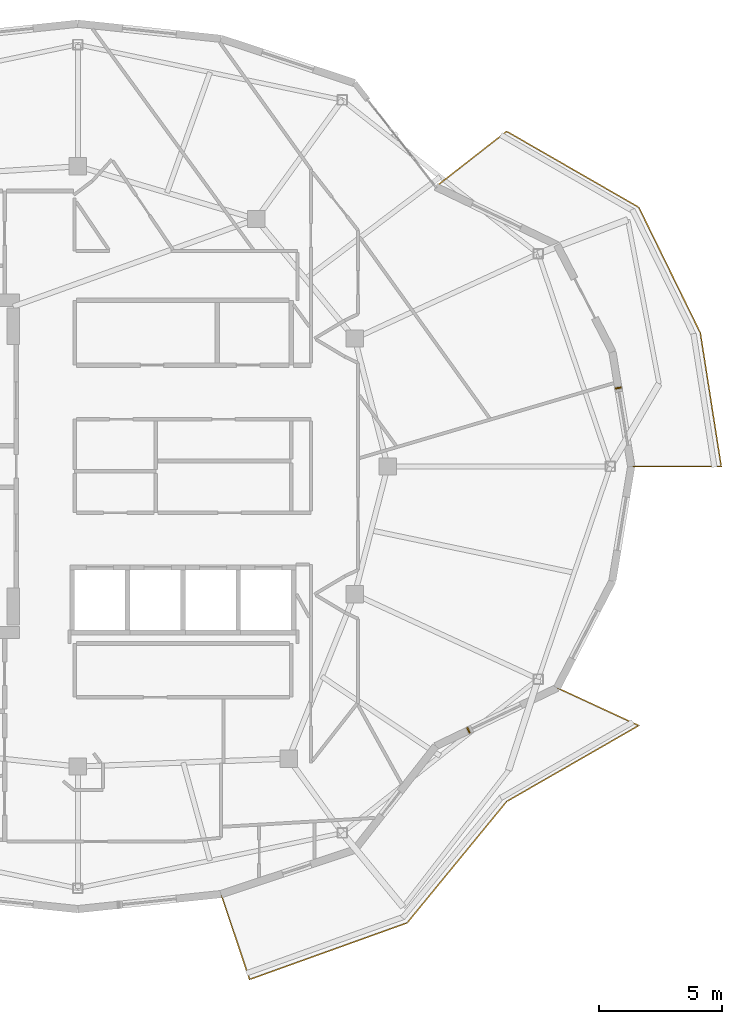
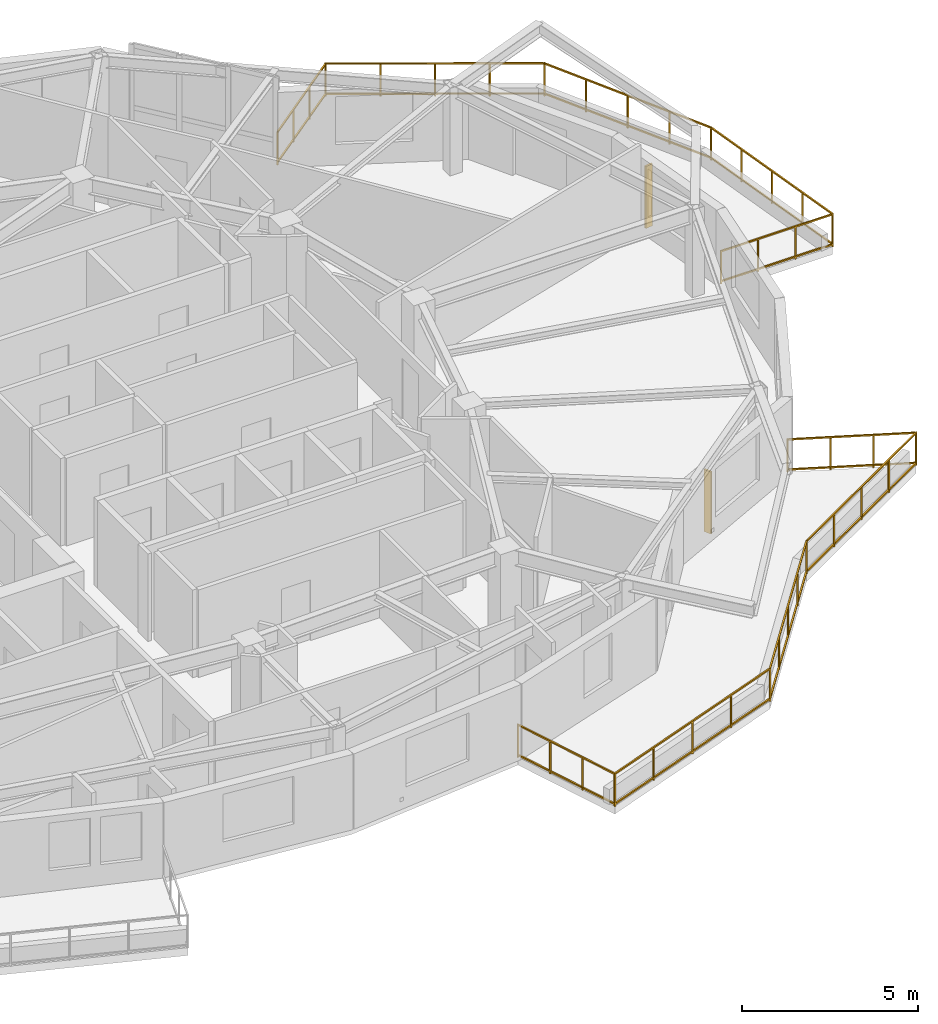
# One storey, part 13 of 14: 2 railings, 2 shading devices.
"""IFC4 building model written with IfcOpenShell, lengths in metres."""

from ifc_helpers import new_model, si_unit, direction, frame, origin, origin_2d, place, context, subcontext, project, spatial, rectangle, extrude, material, type_object, element, save


model = new_model("IFC4")

# Units and contexts
model_context = context("Model", 3, precision=1e-05, world=origin(), true_north=direction((0.0, 1.0)))
body_context = subcontext(model_context, "Body", "Model", "MODEL_VIEW")
ifc_project = project(units=[si_unit("LENGTHUNIT", "METRE"), si_unit("AREAUNIT", "SQUARE_METRE"), si_unit("VOLUMEUNIT", "CUBIC_METRE"), si_unit("PLANEANGLEUNIT", "RADIAN"), si_unit("MASSUNIT", "GRAM", prefix="KILO")], contexts=[model_context])

# Site, building, storey
site_placement = place(None, origin())
site = spatial("IfcSite", under=ifc_project, at=site_placement, CompositionType="ELEMENT")
building_placement = place(site_placement, origin())
building = spatial("IfcBuilding", under=site, at=building_placement, Name="Kolvaren Gate Tower and Convention Centre", CompositionType="ELEMENT")
storey_placement = place(building_placement, frame((0.0, 0.0, 245.89990234375)))
storey = spatial("IfcBuildingStorey", under=building, at=storey_placement, Name="L66", CompositionType="ELEMENT", Elevation=245.89990234375)

# Railings
ifc_material_1 = material(Name="Brushed Stainless Steel Grade 316L", Category="steel")
railing_type = type_object("IfcRailingType", Name="ARCH-RL-GUARD-1150", PredefinedType="GUARDRAIL", material=ifc_material_1)
railing_1_placement = place(storey_placement, frame((52.625, 27.0, 0.0)))
element("IfcRailing", 1, at=railing_1_placement, inside=storey, type_object=railing_type, Name="Tower L66 Terrace Perimeter Guardrail GR-1", PredefinedType="GUARDRAIL", context=body_context, shape_type="SweptSolid", body=[
    extrude(rectangle(XDim=0.048095703125, YDim=0.048095703125, at=origin_2d()), frame((0.028076171875, 0.0, 1.1259765625), z_axis=(1.0, 0.0, 0.0), x_axis=(0.0, 1.0, 0.0)), (0.0, 0.0, 1.0), 3.603759765625),
    extrude(rectangle(XDim=0.048095703125, YDim=0.048095703125, at=origin_2d()), frame((0.028076171875, 0.0, 0.083984375), z_axis=(1.0, 0.0, 0.0), x_axis=(0.0, 1.0, 0.0)), (0.0, 0.0, 1.0), 3.603759765625),
    extrude(rectangle(XDim=0.048095703125, YDim=0.048095703125, at=origin_2d()), frame((3.655517578125, 0.02783203125, 1.1259765625), z_axis=(-0.1543985789, 0.988008643097, 0.0), x_axis=(-0.988008643097, -0.1543985789, 0.0)), (0.0, 0.0, 1.0), 5.435546875),
    extrude(rectangle(XDim=0.048095703125, YDim=0.048095703125, at=origin_2d()), frame((3.655517578125, 0.02783203125, 0.083984375), z_axis=(-0.1543985789, 0.988008643097, 0.0), x_axis=(-0.988008643097, -0.1543985789, 0.0)), (0.0, 0.0, 1.0), 5.435546875),
    extrude(rectangle(XDim=0.048095703125, YDim=0.048095703125, at=origin_2d()), frame((2.799560546875, 5.450927734375, 1.1259765625), z_axis=(-0.440058847499, 0.897968936399, 0.0), x_axis=(-0.897968936399, -0.440058847499, 0.0)), (0.0, 0.0, 1.0), 5.63330078125),
    extrude(rectangle(XDim=0.048095703125, YDim=0.048095703125, at=origin_2d()), frame((2.799560546875, 5.450927734375, 0.083984375), z_axis=(-0.440058847499, 0.897968936399, 0.0), x_axis=(-0.897968936399, -0.440058847499, 0.0)), (0.0, 0.0, 1.0), 5.63330078125),
    extrude(rectangle(XDim=0.048095703125, YDim=0.048095703125, at=origin_2d()), frame((0.283935546875, 10.548583984375, 1.1259765625), z_axis=(-0.866894385595, 0.498491849706, 0.0), x_axis=(-0.498491849706, -0.866894385595, 0.0)), (0.0, 0.0, 1.0), 6.140869140625),
    extrude(rectangle(XDim=0.048095703125, YDim=0.048095703125, at=origin_2d()), frame((0.283935546875, 10.548583984375, 0.083984375), z_axis=(-0.866894385595, 0.498491849706, 0.0), x_axis=(-0.498491849706, -0.866894385595, 0.0)), (0.0, 0.0, 1.0), 6.140869140625),
    extrude(rectangle(XDim=0.048095703125, YDim=0.048095703125, at=origin_2d()), frame((-5.0859375, 13.6064453125, 1.1259765625), z_axis=(-0.787988976981, -0.61568934712, 0.0), x_axis=(0.61568934712, -0.787988976981, 0.0)), (0.0, 0.0, 1.0), 3.60400390625),
    extrude(rectangle(XDim=0.048095703125, YDim=0.048095703125, at=origin_2d()), frame((-5.0859375, 13.6064453125, 0.083984375), z_axis=(-0.787988976981, -0.61568934712, 0.0), x_axis=(0.61568934712, -0.787988976981, 0.0)), (0.0, 0.0, 1.0), 3.60400390625),
    extrude(rectangle(XDim=0.0419921875, YDim=0.0419921875, at=origin_2d()), origin(), (0.0, 0.0, 1.0), 1.14990234375),
    extrude(rectangle(XDim=0.0419921875, YDim=0.0419921875, at=origin_2d()), frame((3.659912109375, 0.0, 0.0)), (0.0, 0.0, 1.0), 1.14990234375),
    extrude(rectangle(XDim=0.0419921875, YDim=0.0419921875, at=origin_2d()), frame((1.219970703125, 0.0, 0.0)), (0.0, 0.0, 1.0), 1.099853515625),
    extrude(rectangle(XDim=0.0419921875, YDim=0.0419921875, at=origin_2d()), frame((2.43994140625, 0.0, 0.0)), (0.0, 0.0, 1.0), 1.099853515625),
    extrude(rectangle(XDim=0.0419921875, YDim=0.0419921875, at=origin_2d()), frame((2.81201171875, 5.42578125, 0.0)), (0.0, 0.0, 1.0), 1.14990234375),
    extrude(rectangle(XDim=0.0419921875, YDim=0.0419921875, at=origin_2d()), frame((3.447998046875, 1.3564453125, 0.0)), (0.0, 0.0, 1.0), 1.099853515625),
    extrude(rectangle(XDim=0.0419921875, YDim=0.0419921875, at=origin_2d()), frame((3.23583984375, 2.712890625, 0.0)), (0.0, 0.0, 1.0), 1.099853515625),
    extrude(rectangle(XDim=0.0419921875, YDim=0.0419921875, at=origin_2d()), frame((3.02392578125, 4.0693359375, 0.0)), (0.0, 0.0, 1.0), 1.099853515625),
    extrude(rectangle(XDim=0.0419921875, YDim=0.0419921875, at=origin_2d()), frame((0.308349609375, 10.53466796875, 0.0)), (0.0, 0.0, 1.0), 1.14990234375),
    extrude(rectangle(XDim=0.0419921875, YDim=0.0419921875, at=origin_2d()), frame((2.18603515625, 6.703125, 0.0)), (0.0, 0.0, 1.0), 1.099853515625),
    extrude(rectangle(XDim=0.0419921875, YDim=0.0419921875, at=origin_2d()), frame((1.56005859375, 7.980224609375, 0.0)), (0.0, 0.0, 1.0), 1.099853515625),
    extrude(rectangle(XDim=0.0419921875, YDim=0.0419921875, at=origin_2d()), frame((0.934326171875, 9.25732421875, 0.0)), (0.0, 0.0, 1.0), 1.099853515625),
    extrude(rectangle(XDim=0.0419921875, YDim=0.0419921875, at=origin_2d()), frame((-5.063720703125, 13.623779296875, 0.0)), (0.0, 0.0, 1.0), 1.14990234375),
    extrude(rectangle(XDim=0.0419921875, YDim=0.0419921875, at=origin_2d()), frame((-1.03466796875, 11.306884765625, 0.0)), (0.0, 0.0, 1.0), 1.099853515625),
    extrude(rectangle(XDim=0.0419921875, YDim=0.0419921875, at=origin_2d()), frame((-2.377685546875, 12.0791015625, 0.0)), (0.0, 0.0, 1.0), 1.099853515625),
    extrude(rectangle(XDim=0.0419921875, YDim=0.0419921875, at=origin_2d()), frame((-3.720703125, 12.8515625, 0.0)), (0.0, 0.0, 1.0), 1.099853515625),
    extrude(rectangle(XDim=0.0419921875, YDim=0.0419921875, at=origin_2d()), frame((-7.94775390625, 11.370361328125, 0.0)), (0.0, 0.0, 1.0), 1.14990234375),
    extrude(rectangle(XDim=0.0419921875, YDim=0.0419921875, at=origin_2d()), frame((-6.025146484375, 12.87255859375, 0.0)), (0.0, 0.0, 1.0), 1.099853515625),
    extrude(rectangle(XDim=0.0419921875, YDim=0.0419921875, at=origin_2d()), frame((-6.986328125, 12.12158203125, 0.0)), (0.0, 0.0, 1.0), 1.099853515625),
])
railing_2_placement = place(storey_placement, frame((35.948486328125, 9.61328125, 0.0)))
element("IfcRailing", 2, at=railing_2_placement, inside=storey, type_object=railing_type, Name="Tower L66 Terrace Perimeter Guardrail GR-4", PredefinedType="GUARDRAIL", context=body_context, shape_type="SweptSolid", body=[
    extrude(rectangle(XDim=0.048095703125, YDim=0.048095703125, at=origin_2d()), frame((0.0087890625, -0.026611328125, 1.1259765625), z_axis=(0.317588247294, -0.948228719867, 0.0), x_axis=(0.948228719867, 0.317588247294, 0.0)), (0.0, 0.0, 1.0), 3.603759765625),
    extrude(rectangle(XDim=0.048095703125, YDim=0.048095703125, at=origin_2d()), frame((0.0087890625, -0.026611328125, 0.083984375), z_axis=(0.317588247294, -0.948228719867, 0.0), x_axis=(0.948228719867, 0.317588247294, 0.0)), (0.0, 0.0, 1.0), 3.603759765625),
    extrude(rectangle(XDim=0.048095703125, YDim=0.048095703125, at=origin_2d()), frame((1.188720703125, -3.4609375, 1.1259765625), z_axis=(0.941139090914, 0.338019543152, 0.0), x_axis=(-0.338019543152, 0.941139090914, 0.0)), (0.0, 0.0, 1.0), 6.75048828125),
    extrude(rectangle(XDim=0.048095703125, YDim=0.048095703125, at=origin_2d()), frame((1.188720703125, -3.4609375, 0.083984375), z_axis=(0.941139090914, 0.338019543152, 0.0), x_axis=(-0.338019543152, 0.941139090914, 0.0)), (0.0, 0.0, 1.0), 6.75048828125),
    extrude(rectangle(XDim=0.048095703125, YDim=0.048095703125, at=origin_2d()), frame((7.586181640625, -1.14794921875, 1.1259765625), z_axis=(0.634050293942, 0.773291810866, 0.0), x_axis=(-0.773291810866, 0.634050293942, 0.0)), (0.0, 0.0, 1.0), 6.322509765625),
    extrude(rectangle(XDim=0.048095703125, YDim=0.048095703125, at=origin_2d()), frame((7.586181640625, -1.14794921875, 0.083984375), z_axis=(0.634050293942, 0.773291810866, 0.0), x_axis=(-0.773291810866, 0.634050293942, 0.0)), (0.0, 0.0, 1.0), 6.322509765625),
    extrude(rectangle(XDim=0.048095703125, YDim=0.048095703125, at=origin_2d()), frame((11.63720703125, 3.77685546875, 1.1259765625), z_axis=(0.866894385595, 0.498491849706, 0.0), x_axis=(-0.498491849706, 0.866894385595, 0.0)), (0.0, 0.0, 1.0), 6.140869140625),
    extrude(rectangle(XDim=0.048095703125, YDim=0.048095703125, at=origin_2d()), frame((11.63720703125, 3.77685546875, 0.083984375), z_axis=(0.866894385595, 0.498491849706, 0.0), x_axis=(-0.498491849706, 0.866894385595, 0.0)), (0.0, 0.0, 1.0), 6.140869140625),
    extrude(rectangle(XDim=0.048095703125, YDim=0.048095703125, at=origin_2d()), frame((16.95947265625, 6.86376953125, 1.1259765625), z_axis=(-0.907846116663, 0.419303503993, 0.0), x_axis=(-0.419303503993, -0.907846116663, 0.0)), (0.0, 0.0, 1.0), 3.60400390625),
    extrude(rectangle(XDim=0.048095703125, YDim=0.048095703125, at=origin_2d()), frame((16.95947265625, 6.86376953125, 0.083984375), z_axis=(-0.907846116663, 0.419303503993, 0.0), x_axis=(-0.419303503993, -0.907846116663, 0.0)), (0.0, 0.0, 1.0), 3.60400390625),
    extrude(rectangle(XDim=0.0419921875, YDim=0.0419921875, at=origin_2d()), origin(), (0.0, 0.0, 1.0), 1.14990234375),
    extrude(rectangle(XDim=0.0419921875, YDim=0.0419921875, at=origin_2d()), frame((1.162353515625, -3.470458984375, 0.0)), (0.0, 0.0, 1.0), 1.14990234375),
    extrude(rectangle(XDim=0.0419921875, YDim=0.0419921875, at=origin_2d()), frame((0.387451171875, -1.15673828125, 0.0)), (0.0, 0.0, 1.0), 1.099853515625),
    extrude(rectangle(XDim=0.0419921875, YDim=0.0419921875, at=origin_2d()), frame((0.77490234375, -2.313720703125, 0.0)), (0.0, 0.0, 1.0), 1.099853515625),
    extrude(rectangle(XDim=0.0419921875, YDim=0.0419921875, at=origin_2d()), frame((7.568359375, -1.169677734375, 0.0)), (0.0, 0.0, 1.0), 1.14990234375),
    extrude(rectangle(XDim=0.0419921875, YDim=0.0419921875, at=origin_2d()), frame((2.763916015625, -2.895263671875, 0.0)), (0.0, 0.0, 1.0), 1.099853515625),
    extrude(rectangle(XDim=0.0419921875, YDim=0.0419921875, at=origin_2d()), frame((4.365234375, -2.320068359375, 0.0)), (0.0, 0.0, 1.0), 1.099853515625),
    extrude(rectangle(XDim=0.0419921875, YDim=0.0419921875, at=origin_2d()), frame((5.966796875, -1.744873046875, 0.0)), (0.0, 0.0, 1.0), 1.099853515625),
    extrude(rectangle(XDim=0.0419921875, YDim=0.0419921875, at=origin_2d()), frame((11.61279296875, 3.762939453125, 0.0)), (0.0, 0.0, 1.0), 1.14990234375),
    extrude(rectangle(XDim=0.0419921875, YDim=0.0419921875, at=origin_2d()), frame((8.57958984375, 0.0634765625, 0.0)), (0.0, 0.0, 1.0), 1.099853515625),
    extrude(rectangle(XDim=0.0419921875, YDim=0.0419921875, at=origin_2d()), frame((9.590576171875, 1.296630859375, 0.0)), (0.0, 0.0, 1.0), 1.099853515625),
    extrude(rectangle(XDim=0.0419921875, YDim=0.0419921875, at=origin_2d()), frame((10.6015625, 2.52978515625, 0.0)), (0.0, 0.0, 1.0), 1.099853515625),
    extrude(rectangle(XDim=0.0419921875, YDim=0.0419921875, at=origin_2d()), frame((16.98486328125, 6.85205078125, 0.0)), (0.0, 0.0, 1.0), 1.14990234375),
    extrude(rectangle(XDim=0.0419921875, YDim=0.0419921875, at=origin_2d()), frame((12.955810546875, 4.53515625, 0.0)), (0.0, 0.0, 1.0), 1.099853515625),
    extrude(rectangle(XDim=0.0419921875, YDim=0.0419921875, at=origin_2d()), frame((14.298828125, 5.3076171875, 0.0)), (0.0, 0.0, 1.0), 1.099853515625),
    extrude(rectangle(XDim=0.0419921875, YDim=0.0419921875, at=origin_2d()), frame((15.641845703125, 6.079833984375, 0.0)), (0.0, 0.0, 1.0), 1.099853515625),
    extrude(rectangle(XDim=0.0419921875, YDim=0.0419921875, at=origin_2d()), frame((13.662109375, 8.38671875, 0.0)), (0.0, 0.0, 1.0), 1.14990234375),
    extrude(rectangle(XDim=0.0419921875, YDim=0.0419921875, at=origin_2d()), frame((15.877197265625, 7.363525390625, 0.0)), (0.0, 0.0, 1.0), 1.099853515625),
    extrude(rectangle(XDim=0.0419921875, YDim=0.0419921875, at=origin_2d()), frame((14.769775390625, 7.875244140625, 0.0)), (0.0, 0.0, 1.0), 1.099853515625),
])

# Shading devices
ifc_material_2 = material(Name="Kiln-Fired Bogota Terracotta Ceramic Louvre Profile", Category="masonry")
shading_device_type = type_object("IfcShadingDeviceType", Name="ARCH-SHD-FIN-180", PredefinedType="JALOUSIE", material=ifc_material_2)
for number, where, z_axis, x_axis, name in (
    (3, (52.100341796875, 30.1884765625, 0.22021484375), (0.0, 0.0, 1.0), (0.162389178836, -0.986726788223, 0.0), "Ceramic Vertical Brise-Soleil Fin FN-L66-00"),
    (4, (46.008544921875, 16.269287109375, 0.22021484375), (0.0, 0.0, 1.0), (0.901357634097, 0.433075530889, 0.0), "Ceramic Vertical Brise-Soleil Fin FN-L66-21"),
):
    element("IfcShadingDevice", number, at=place(storey_placement, frame(where, z_axis=z_axis, x_axis=x_axis)), inside=storey, type_object=shading_device_type, Name=name, PredefinedType="JALOUSIE", context=body_context, shape_type="SweptSolid", body=[
        extrude(rectangle(XDim=0.06005859375, YDim=0.239990234375, at=origin_2d()), origin(), (0.0, 0.0, 1.0), 2.14990234375),
    ])

save(model, "model.ifc")
